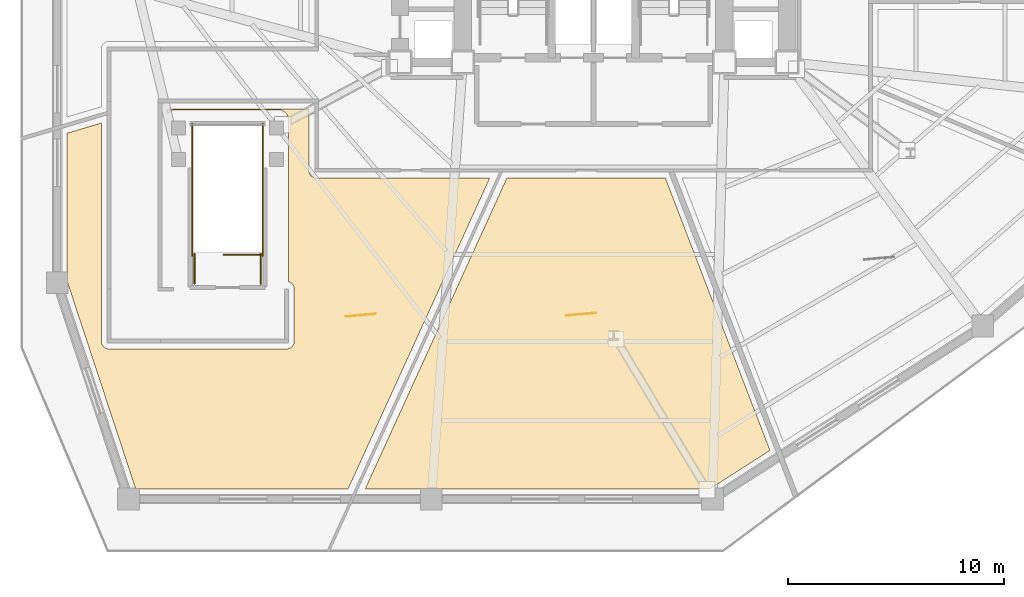
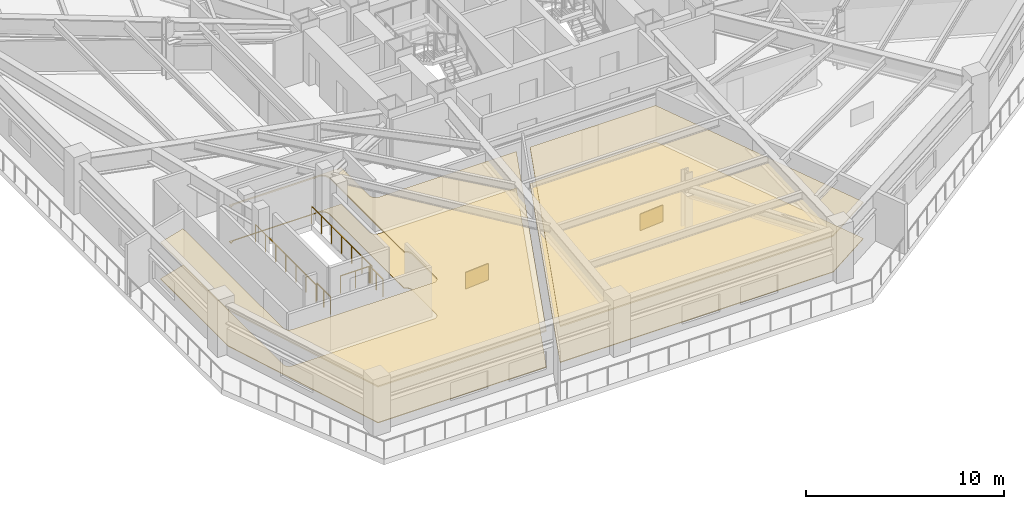
# One storey, part 7 of 10: 6 coverings, 5 railings.
"""IFC4 building model written with IfcOpenShell, lengths in metres."""

from ifc_helpers import new_model, si_unit, direction, frame, origin, origin_2d, place, context, subcontext, project, spatial, polyline, rectangle, outline, extrude, material, layer, layer_set, type_object, element, save


model = new_model("IFC4")

# Units and contexts
model_context = context("Model", 3, precision=1e-05, world=origin(), true_north=direction((0.0, 1.0)))
body_context = subcontext(model_context, "Body", "Model", "MODEL_VIEW")
ifc_project = project(units=[si_unit("LENGTHUNIT", "METRE"), si_unit("AREAUNIT", "SQUARE_METRE"), si_unit("VOLUMEUNIT", "CUBIC_METRE"), si_unit("PLANEANGLEUNIT", "RADIAN"), si_unit("MASSUNIT", "GRAM", prefix="KILO")], contexts=[model_context])

# Site, building, storey
site_placement = place(None, origin())
site = spatial("IfcSite", under=ifc_project, at=site_placement, CompositionType="ELEMENT")
building_placement = place(site_placement, origin())
building = spatial("IfcBuilding", under=site, at=building_placement, Name="Rocaltana Carrier Exchange", CompositionType="ELEMENT")
storey_placement = place(building_placement, frame((0.0, 0.0, 15.360107421875)))
storey = spatial("IfcBuildingStorey", under=building, at=storey_placement, Name="L05", CompositionType="ELEMENT", Elevation=15.360107421875)

# Coverings
ifc_material_1 = material(Name="Honed Bogota Sandstone Tile", Category="masonry")
ifc_layer_1 = layer(ifc_material_1, 0.0400390625)
ifc_layer_set_1 = layer_set([ifc_layer_1], Name="Honed Bogota Sandstone Tile")
covering_type_1 = type_object("IfcCoveringType", Name="Honed Stone Lobby Flooring 40", PredefinedType="FLOORING", material=ifc_layer_set_1)
covering_1_placement = place(storey_placement, origin())
element("IfcCovering", 1, at=covering_1_placement, inside=storey, type_object=covering_type_1, Name="L05 Client Reception Foyer Finish Floor", PredefinedType="FLOORING", context=body_context, shape_type="SweptSolid", body=[
    extrude(outline(polyline([(-24.340087890625, -7.585205078125), (-22.760009765625, -7.1171875), (-22.760009765625, -17.199951171875), (-22.759765625, -17.213623046875), (-22.75927734375, -17.2216796875), (-22.756591796875, -17.248779296875), (-22.75537109375, -17.256591796875), (-22.75, -17.28369140625), (-22.748291015625, -17.291259765625), (-22.740234375, -17.317626953125), (-22.737548828125, -17.324951171875), (-22.72705078125, -17.350341796875), (-22.7236328125, -17.357421875), (-22.710693359375, -17.381591796875), (-22.706787109375, -17.388427734375), (-22.69140625, -17.4111328125), (-22.686767578125, -17.41748046875), (-22.669189453125, -17.438720703125), (-22.6640625, -17.444580078125), (-22.64453125, -17.464111328125), (-22.638916015625, -17.46923828125), (-22.617431640625, -17.48681640625), (-22.611083984375, -17.491455078125), (-22.58837890625, -17.506591796875), (-22.581787109375, -17.5107421875), (-22.557373046875, -17.523681640625), (-22.55029296875, -17.527099609375), (-22.52490234375, -17.53759765625), (-22.517578125, -17.540283203125), (-22.4912109375, -17.548095703125), (-22.483642578125, -17.550048828125), (-22.456787109375, -17.555419921875), (-22.448974609375, -17.556640625), (-22.421630859375, -17.559326171875), (-22.413818359375, -17.559814453125), (-22.39990234375, -17.56005859375), (-14.199951171875, -17.56005859375), (-14.186279296875, -17.559814453125), (-14.178466796875, -17.559326171875), (-14.151123046875, -17.556640625), (-14.143310546875, -17.555419921875), (-14.116455078125, -17.550048828125), (-14.108642578125, -17.548095703125), (-14.08251953125, -17.540283203125), (-14.0751953125, -17.53759765625), (-14.0498046875, -17.527099609375), (-14.04248046875, -17.523681640625), (-14.018310546875, -17.5107421875), (-14.01171875, -17.506591796875), (-13.98876953125, -17.491455078125), (-13.982421875, -17.48681640625), (-13.961181640625, -17.46923828125), (-13.955322265625, -17.464111328125), (-13.93603515625, -17.444580078125), (-13.9306640625, -17.438720703125), (-13.913330078125, -17.41748046875), (-13.90869140625, -17.4111328125), (-13.893310546875, -17.388427734375), (-13.889404296875, -17.381591796875), (-13.876220703125, -17.357421875), (-13.873046875, -17.350341796875), (-13.862548828125, -17.324951171875), (-13.85986328125, -17.317626953125), (-13.851806640625, -17.291259765625), (-13.849853515625, -17.28369140625), (-13.844482421875, -17.256591796875), (-13.843505859375, -17.248779296875), (-13.8408203125, -17.2216796875), (-13.84033203125, -17.213623046875), (-13.840087890625, -17.199951171875), (-13.840087890625, -14.800048828125), (-13.84033203125, -14.786376953125), (-13.8408203125, -14.7783203125), (-13.843505859375, -14.751220703125), (-13.844482421875, -14.743408203125), (-13.849853515625, -14.71630859375), (-13.851806640625, -14.708740234375), (-13.85986328125, -14.682373046875), (-13.862548828125, -14.675048828125), (-13.873046875, -14.649658203125), (-13.876220703125, -14.642578125), (-13.889404296875, -14.618408203125), (-13.893310546875, -14.611572265625), (-13.90869140625, -14.5888671875), (-13.913330078125, -14.58251953125), (-13.9306640625, -14.561279296875), (-13.93603515625, -14.555419921875), (-13.955322265625, -14.535888671875), (-13.961181640625, -14.53076171875), (-13.982421875, -14.51318359375), (-13.98876953125, -14.508544921875), (-14.01171875, -14.493408203125), (-14.018310546875, -14.4892578125), (-14.04248046875, -14.476318359375), (-14.0498046875, -14.472900390625), (-14.0751953125, -14.46240234375), (-14.08251953125, -14.459716796875), (-14.108642578125, -14.451904296875), (-14.110107421875, -14.451416015625), (-14.110107421875, -6.949951171875), (-14.1103515625, -6.936279296875), (-14.111083984375, -6.920654296875), (-14.11376953125, -6.893310546875), (-14.1162109375, -6.877685546875), (-14.12158203125, -6.850830078125), (-14.125244140625, -6.83544921875), (-14.13330078125, -6.80908203125), (-14.138427734375, -6.79443359375), (-14.149169921875, -6.76904296875), (-14.15576171875, -6.7548828125), (-14.168701171875, -6.730712890625), (-14.1767578125, -6.71728515625), (-14.192138671875, -6.6943359375), (-14.201416015625, -6.681640625), (-14.218994140625, -6.660400390625), (-14.2294921875, -6.648681640625), (-14.248779296875, -6.62939453125), (-14.260498046875, -6.618896484375), (-14.28173828125, -6.601318359375), (-14.294189453125, -6.592041015625), (-14.317138671875, -6.576904296875), (-14.33056640625, -6.568603515625), (-14.35498046875, -6.555908203125), (-14.369140625, -6.549072265625), (-14.394287109375, -6.53857421875), (-14.4091796875, -6.533203125), (-14.435546875, -6.525390625), (-14.45068359375, -6.521484375), (-14.477783203125, -6.51611328125), (-14.4931640625, -6.513916015625), (-14.5205078125, -6.510986328125), (-14.536376953125, -6.51025390625), (-14.550048828125, -6.510009765625), (-19.35009765625, -6.510009765625), (-19.36376953125, -6.51025390625), (-19.37939453125, -6.510986328125), (-19.40673828125, -6.513916015625), (-19.42236328125, -6.51611328125), (-19.44921875, -6.521484375), (-19.464599609375, -6.525390625), (-19.49072265625, -6.533203125), (-19.505615234375, -6.53857421875), (-19.531005859375, -6.549072265625), (-19.545166015625, -6.555908203125), (-19.5693359375, -6.568603515625), (-19.582763671875, -6.576904296875), (-19.605712890625, -6.592041015625), (-19.618408203125, -6.601318359375), (-19.639404296875, -6.618896484375), (-19.651123046875, -6.62939453125), (-19.670654296875, -6.648681640625), (-19.68115234375, -6.660400390625), (-19.68994140625, -6.671142578125), (-19.68994140625, -6.4599609375), (-13.159912109375, -6.4599609375), (-13.159912109375, -9.300048828125), (-13.15966796875, -9.313720703125), (-13.1591796875, -9.321533203125), (-13.156494140625, -9.348876953125), (-13.155517578125, -9.356689453125), (-13.150146484375, -9.383544921875), (-13.148193359375, -9.391357421875), (-13.14013671875, -9.41748046875), (-13.137451171875, -9.4248046875), (-13.126953125, -9.4501953125), (-13.123779296875, -9.45751953125), (-13.110595703125, -9.481689453125), (-13.106689453125, -9.48828125), (-13.09130859375, -9.51123046875), (-13.086669921875, -9.517578125), (-13.0693359375, -9.538818359375), (-13.06396484375, -9.544677734375), (-13.044677734375, -9.56396484375), (-13.038818359375, -9.5693359375), (-13.017578125, -9.586669921875), (-13.01123046875, -9.59130859375), (-12.98828125, -9.606689453125), (-12.981689453125, -9.610595703125), (-12.95751953125, -9.623779296875), (-12.9501953125, -9.626953125), (-12.9248046875, -9.637451171875), (-12.91748046875, -9.64013671875), (-12.891357421875, -9.648193359375), (-12.883544921875, -9.650146484375), (-12.856689453125, -9.655517578125), (-12.848876953125, -9.656494140625), (-12.821533203125, -9.6591796875), (-12.813720703125, -9.65966796875), (-12.800048828125, -9.659912109375), (-4.7978515625, -9.659912109375), (-11.351318359375, -24.0400390625), (-21.16748046875, -24.0400390625), (-24.340087890625, -14.426025390625), (-24.340087890625, -7.585205078125)])), origin(), (0.0, 0.0, 1.0), 0.039794921875),
])
covering_2_placement = place(storey_placement, origin())
element("IfcCovering", 2, at=covering_2_placement, inside=storey, type_object=covering_type_1, Name="L05 Staff Break Pantry Finish Floor", PredefinedType="FLOORING", context=body_context, shape_type="SweptSolid", body=[
    extrude(outline(polyline([(5.365478515625, -24.0400390625), (-10.56005859375, -24.0400390625), (-4.006591796875, -9.659912109375), (3.322509765625, -9.659912109375), (8.15673828125, -22.253662109375), (5.365478515625, -24.0400390625)])), origin(), (0.0, 0.0, 1.0), 0.039794921875),
])
ifc_material_2 = material(Name="Anodised Aluminium 6063-T6", Category="aluminium")
ifc_layer_2 = layer(ifc_material_2, 0.0849609375)
ifc_layer_set_2 = layer_set([ifc_layer_2], Name="Anodised Aluminium 6063-T6")
covering_type_2 = type_object("IfcCoveringType", Name="Linear Baffle Acoustic Ceiling 85", PredefinedType="CEILING", material=ifc_layer_set_2)
covering_3_placement = place(storey_placement, frame((0.0, 0.0, 2.202880859375)))
element("IfcCovering", 3, at=covering_3_placement, inside=storey, type_object=covering_type_2, Name="L05 Client Reception Foyer Acoustic Ceiling", PredefinedType="CEILING", context=body_context, shape_type="SweptSolid", body=[
    extrude(outline(polyline([(-24.340087890625, -7.585205078125), (-22.760009765625, -7.1171875), (-22.760009765625, -17.199951171875), (-22.759765625, -17.213623046875), (-22.75927734375, -17.2216796875), (-22.756591796875, -17.248779296875), (-22.75537109375, -17.256591796875), (-22.75, -17.28369140625), (-22.748291015625, -17.291259765625), (-22.740234375, -17.317626953125), (-22.737548828125, -17.324951171875), (-22.72705078125, -17.350341796875), (-22.7236328125, -17.357421875), (-22.710693359375, -17.381591796875), (-22.706787109375, -17.388427734375), (-22.69140625, -17.4111328125), (-22.686767578125, -17.41748046875), (-22.669189453125, -17.438720703125), (-22.6640625, -17.444580078125), (-22.64453125, -17.464111328125), (-22.638916015625, -17.46923828125), (-22.617431640625, -17.48681640625), (-22.611083984375, -17.491455078125), (-22.58837890625, -17.506591796875), (-22.581787109375, -17.5107421875), (-22.557373046875, -17.523681640625), (-22.55029296875, -17.527099609375), (-22.52490234375, -17.53759765625), (-22.517578125, -17.540283203125), (-22.4912109375, -17.548095703125), (-22.483642578125, -17.550048828125), (-22.456787109375, -17.555419921875), (-22.448974609375, -17.556640625), (-22.421630859375, -17.559326171875), (-22.413818359375, -17.559814453125), (-22.39990234375, -17.56005859375), (-14.199951171875, -17.56005859375), (-14.186279296875, -17.559814453125), (-14.178466796875, -17.559326171875), (-14.151123046875, -17.556640625), (-14.143310546875, -17.555419921875), (-14.116455078125, -17.550048828125), (-14.108642578125, -17.548095703125), (-14.08251953125, -17.540283203125), (-14.0751953125, -17.53759765625), (-14.0498046875, -17.527099609375), (-14.04248046875, -17.523681640625), (-14.018310546875, -17.5107421875), (-14.01171875, -17.506591796875), (-13.98876953125, -17.491455078125), (-13.982421875, -17.48681640625), (-13.961181640625, -17.46923828125), (-13.955322265625, -17.464111328125), (-13.93603515625, -17.444580078125), (-13.9306640625, -17.438720703125), (-13.913330078125, -17.41748046875), (-13.90869140625, -17.4111328125), (-13.893310546875, -17.388427734375), (-13.889404296875, -17.381591796875), (-13.876220703125, -17.357421875), (-13.873046875, -17.350341796875), (-13.862548828125, -17.324951171875), (-13.85986328125, -17.317626953125), (-13.851806640625, -17.291259765625), (-13.849853515625, -17.28369140625), (-13.844482421875, -17.256591796875), (-13.843505859375, -17.248779296875), (-13.8408203125, -17.2216796875), (-13.84033203125, -17.213623046875), (-13.840087890625, -17.199951171875), (-13.840087890625, -14.800048828125), (-13.84033203125, -14.786376953125), (-13.8408203125, -14.7783203125), (-13.843505859375, -14.751220703125), (-13.844482421875, -14.743408203125), (-13.849853515625, -14.71630859375), (-13.851806640625, -14.708740234375), (-13.85986328125, -14.682373046875), (-13.862548828125, -14.675048828125), (-13.873046875, -14.649658203125), (-13.876220703125, -14.642578125), (-13.889404296875, -14.618408203125), (-13.893310546875, -14.611572265625), (-13.90869140625, -14.5888671875), (-13.913330078125, -14.58251953125), (-13.9306640625, -14.561279296875), (-13.93603515625, -14.555419921875), (-13.955322265625, -14.535888671875), (-13.961181640625, -14.53076171875), (-13.982421875, -14.51318359375), (-13.98876953125, -14.508544921875), (-14.01171875, -14.493408203125), (-14.018310546875, -14.4892578125), (-14.04248046875, -14.476318359375), (-14.0498046875, -14.472900390625), (-14.0751953125, -14.46240234375), (-14.08251953125, -14.459716796875), (-14.108642578125, -14.451904296875), (-14.110107421875, -14.451416015625), (-14.110107421875, -6.949951171875), (-14.1103515625, -6.936279296875), (-14.111083984375, -6.920654296875), (-14.11376953125, -6.893310546875), (-14.1162109375, -6.877685546875), (-14.12158203125, -6.850830078125), (-14.125244140625, -6.83544921875), (-14.13330078125, -6.80908203125), (-14.138427734375, -6.79443359375), (-14.149169921875, -6.76904296875), (-14.15576171875, -6.7548828125), (-14.168701171875, -6.730712890625), (-14.1767578125, -6.71728515625), (-14.192138671875, -6.6943359375), (-14.201416015625, -6.681640625), (-14.218994140625, -6.660400390625), (-14.2294921875, -6.648681640625), (-14.248779296875, -6.62939453125), (-14.260498046875, -6.618896484375), (-14.28173828125, -6.601318359375), (-14.294189453125, -6.592041015625), (-14.317138671875, -6.576904296875), (-14.33056640625, -6.568603515625), (-14.35498046875, -6.555908203125), (-14.369140625, -6.549072265625), (-14.394287109375, -6.53857421875), (-14.4091796875, -6.533203125), (-14.435546875, -6.525390625), (-14.45068359375, -6.521484375), (-14.477783203125, -6.51611328125), (-14.4931640625, -6.513916015625), (-14.5205078125, -6.510986328125), (-14.536376953125, -6.51025390625), (-14.550048828125, -6.510009765625), (-19.35009765625, -6.510009765625), (-19.36376953125, -6.51025390625), (-19.37939453125, -6.510986328125), (-19.40673828125, -6.513916015625), (-19.42236328125, -6.51611328125), (-19.44921875, -6.521484375), (-19.464599609375, -6.525390625), (-19.49072265625, -6.533203125), (-19.505615234375, -6.53857421875), (-19.531005859375, -6.549072265625), (-19.545166015625, -6.555908203125), (-19.5693359375, -6.568603515625), (-19.582763671875, -6.576904296875), (-19.605712890625, -6.592041015625), (-19.618408203125, -6.601318359375), (-19.639404296875, -6.618896484375), (-19.651123046875, -6.62939453125), (-19.670654296875, -6.648681640625), (-19.68115234375, -6.660400390625), (-19.68994140625, -6.671142578125), (-19.68994140625, -6.4599609375), (-13.159912109375, -6.4599609375), (-13.159912109375, -9.300048828125), (-13.15966796875, -9.313720703125), (-13.1591796875, -9.321533203125), (-13.156494140625, -9.348876953125), (-13.155517578125, -9.356689453125), (-13.150146484375, -9.383544921875), (-13.148193359375, -9.391357421875), (-13.14013671875, -9.41748046875), (-13.137451171875, -9.4248046875), (-13.126953125, -9.4501953125), (-13.123779296875, -9.45751953125), (-13.110595703125, -9.481689453125), (-13.106689453125, -9.48828125), (-13.09130859375, -9.51123046875), (-13.086669921875, -9.517578125), (-13.0693359375, -9.538818359375), (-13.06396484375, -9.544677734375), (-13.044677734375, -9.56396484375), (-13.038818359375, -9.5693359375), (-13.017578125, -9.586669921875), (-13.01123046875, -9.59130859375), (-12.98828125, -9.606689453125), (-12.981689453125, -9.610595703125), (-12.95751953125, -9.623779296875), (-12.9501953125, -9.626953125), (-12.9248046875, -9.637451171875), (-12.91748046875, -9.64013671875), (-12.891357421875, -9.648193359375), (-12.883544921875, -9.650146484375), (-12.856689453125, -9.655517578125), (-12.848876953125, -9.656494140625), (-12.821533203125, -9.6591796875), (-12.813720703125, -9.65966796875), (-12.800048828125, -9.659912109375), (-4.7978515625, -9.659912109375), (-11.351318359375, -24.0400390625), (-21.16748046875, -24.0400390625), (-24.340087890625, -14.426025390625), (-24.340087890625, -7.585205078125)])), origin(), (0.0, 0.0, 1.0), 0.0849609375),
])
covering_4_placement = place(storey_placement, frame((0.0, 0.0, 2.202880859375)))
element("IfcCovering", 4, at=covering_4_placement, inside=storey, type_object=covering_type_2, Name="L05 Staff Break Pantry Acoustic Ceiling", PredefinedType="CEILING", context=body_context, shape_type="SweptSolid", body=[
    extrude(outline(polyline([(5.365478515625, -24.0400390625), (-10.56005859375, -24.0400390625), (-4.006591796875, -9.659912109375), (3.322509765625, -9.659912109375), (8.15673828125, -22.253662109375), (5.365478515625, -24.0400390625)])), origin(), (0.0, 0.0, 1.0), 0.0849609375),
])

# Railings
ifc_material_3 = material(Name="Powder-Coated Aluminium 6063-T6", Category="aluminium")
ifc_layer_3 = layer(ifc_material_3, 0.048095703125)
ifc_layer_set_3 = layer_set([ifc_layer_3], Name="Powder-Coated Aluminium 6063-T6")
railing_type = type_object("IfcRailingType", Name="Stair Well Guardrail 1100", PredefinedType="GUARDRAIL", material=ifc_layer_set_3)
railing_placement = place(storey_placement, frame((-15.340087890625, -13.199951171875, 0.0)))
element("IfcRailing", 5, at=railing_placement, inside=storey, type_object=railing_type, Name="L05 ST-3 top well guard 1", PredefinedType="GUARDRAIL", context=body_context, shape_type="SweptSolid", body=[
    extrude(rectangle(XDim=0.048095703125, YDim=0.048095703125, at=origin_2d()), frame((0.0, 0.0, 1.076171875), z_axis=(-1.0, 0.0, 0.0), x_axis=(0.0, -1.0, 0.0)), (0.0, 0.0, 1.0), 1.760009765625),
    extrude(rectangle(XDim=0.0419921875, YDim=0.0419921875, at=origin_2d()), origin(), (0.0, 0.0, 1.0), 1.052001953125),
    extrude(rectangle(XDim=0.0419921875, YDim=0.0419921875, at=origin_2d()), frame((-0.8798828125, 0.0, 0.0)), (0.0, 0.0, 1.0), 1.052001953125),
    extrude(rectangle(XDim=0.0419921875, YDim=0.0419921875, at=origin_2d()), frame((-1.760009765625, 0.0, 0.0)), (0.0, 0.0, 1.0), 1.052001953125),
])
for number, where, name in (
    (6, (-15.2900390625, -13.25, 0.0), "L05 ST-3 top well guard 2"),
    (7, (-18.550048828125, -13.25, 0.0), "L05 ST-3 top well guard 3"),
):
    element("IfcRailing", number, at=place(storey_placement, frame(where)), inside=storey, type_object=railing_type, Name=name, PredefinedType="GUARDRAIL", context=body_context, shape_type="SweptSolid", body=[
        extrude(rectangle(XDim=0.048095703125, YDim=0.048095703125, at=origin_2d()), frame((0.0, 0.0, 1.076171875), z_axis=(0.0, 1.0, 0.0), x_axis=(-1.0, 0.0, 0.0)), (0.0, 0.0, 1.0), 6.10009765625),
        extrude(rectangle(XDim=0.0419921875, YDim=0.0419921875, at=origin_2d()), origin(), (0.0, 0.0, 1.0), 1.052001953125),
        extrude(rectangle(XDim=0.0419921875, YDim=0.0419921875, at=origin_2d()), frame((0.0, 1.0166015625, 0.0)), (0.0, 0.0, 1.0), 1.052001953125),
        extrude(rectangle(XDim=0.0419921875, YDim=0.0419921875, at=origin_2d()), frame((0.0, 2.033447265625, 0.0)), (0.0, 0.0, 1.0), 1.052001953125),
        extrude(rectangle(XDim=0.0419921875, YDim=0.0419921875, at=origin_2d()), frame((0.0, 3.050048828125, 0.0)), (0.0, 0.0, 1.0), 1.052001953125),
        extrude(rectangle(XDim=0.0419921875, YDim=0.0419921875, at=origin_2d()), frame((0.0, 4.066650390625, 0.0)), (0.0, 0.0, 1.0), 1.052001953125),
        extrude(rectangle(XDim=0.0419921875, YDim=0.0419921875, at=origin_2d()), frame((0.0, 5.08349609375, 0.0)), (0.0, 0.0, 1.0), 1.052001953125),
        extrude(rectangle(XDim=0.0419921875, YDim=0.0419921875, at=origin_2d()), frame((0.0, 6.10009765625, 0.0)), (0.0, 0.0, 1.0), 1.052001953125),
    ])
for number, where, name in (
    (8, (-15.389892578125, -14.550048828125, 0.0), "L05 ST-3 top well guard 5"),
    (9, (-18.449951171875, -14.550048828125, 0.0), "L05 ST-3 top well guard 6"),
):
    element("IfcRailing", number, at=place(storey_placement, frame(where)), inside=storey, type_object=railing_type, Name=name, PredefinedType="GUARDRAIL", context=body_context, shape_type="SweptSolid", body=[
        extrude(rectangle(XDim=0.048095703125, YDim=0.048095703125, at=origin_2d()), frame((0.0, 0.0, 1.076171875), z_axis=(0.0, 1.0, 0.0), x_axis=(-1.0, 0.0, 0.0)), (0.0, 0.0, 1.0), 1.400146484375),
        extrude(rectangle(XDim=0.0419921875, YDim=0.0419921875, at=origin_2d()), origin(), (0.0, 0.0, 1.0), 1.052001953125),
        extrude(rectangle(XDim=0.0419921875, YDim=0.0419921875, at=origin_2d()), frame((0.0, 0.7001953125, 0.0)), (0.0, 0.0, 1.0), 1.052001953125),
        extrude(rectangle(XDim=0.0419921875, YDim=0.0419921875, at=origin_2d()), frame((0.0, 1.400146484375, 0.0)), (0.0, 0.0, 1.0), 1.052001953125),
    ])

# Coverings
ifc_material_4 = material(Name="Honed Piedra Muneca Sandstone", Category="masonry")
ifc_layer_4 = layer(ifc_material_4, 0.034912109375)
ifc_layer_set_4 = layer_set([ifc_layer_4], Name="Honed Piedra Muneca Sandstone")
covering_type_3 = type_object("IfcCoveringType", Name="Stone Facade Cladding 35", PredefinedType="CLADDING", material=ifc_layer_set_4)
for number, where, z_axis, x_axis, name in (
    (10, (-10.763671875, -16.0, 0.0), (0.0, 0.0, 1.0), (0.996194698092, 0.087155742748, 0.0), "L05 Stone Facade Cladding Panel 1"),
    (11, (-0.568359375, -15.956787109375, 0.0), (0.0, 0.0, 1.0), (0.996194698092, 0.087155742748, 0.0), "L05 Stone Facade Cladding Panel 2"),
):
    element("IfcCovering", number, at=place(storey_placement, frame(where, z_axis=z_axis, x_axis=x_axis)), inside=storey, type_object=covering_type_3, Name=name, PredefinedType="CLADDING", context=body_context, shape_type="SweptSolid", body=[
        extrude(rectangle(XDim=1.39990234375, YDim=0.034912109375, at=origin_2d()), origin(), (0.0, 0.0, 1.0), 1.050048828125),
    ])

save(model, "model.ifc")
